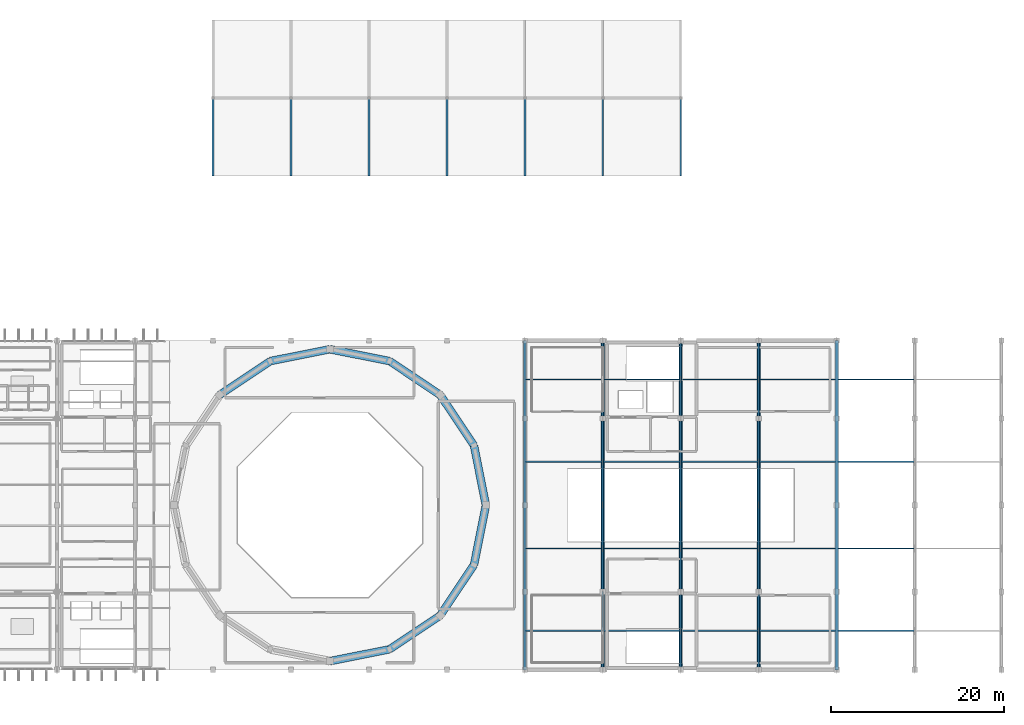
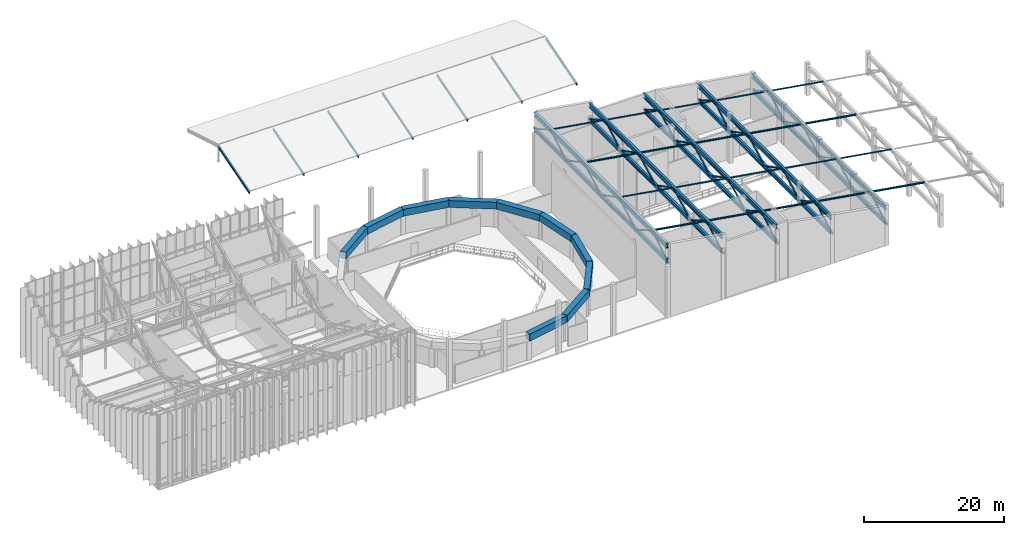
# One storey, part 43 of 68: 67 members, 20 beams.
"""IFC4 building model written with IfcOpenShell, lengths in metres."""

from ifc_helpers import new_model, si_unit, direction, frame, origin, origin_2d, place, context, subcontext, project, spatial, rectangle, hollow_rectangle, i_section, extrude, material, material_profile, profile_set, type_object, element, save


model = new_model("IFC4")

# Units and contexts
model_context = context("Model", 3, precision=1e-05, world=origin(), true_north=direction((0.0, 1.0)))
body_context = subcontext(model_context, "Body", "Model", "MODEL_VIEW")
ifc_project = project(units=[si_unit("LENGTHUNIT", "METRE"), si_unit("AREAUNIT", "SQUARE_METRE"), si_unit("VOLUMEUNIT", "CUBIC_METRE"), si_unit("PLANEANGLEUNIT", "RADIAN"), si_unit("MASSUNIT", "GRAM", prefix="KILO")], contexts=[model_context])

# Site, building, storey
site_placement = place(None, origin())
site = spatial("IfcSite", under=ifc_project, at=site_placement, CompositionType="ELEMENT")
building_placement = place(site_placement, origin())
building = spatial("IfcBuilding", under=site, at=building_placement, Name="Miravela Opera House", CompositionType="ELEMENT")
storey_placement = place(building_placement, frame((0.0, 0.0, 21.760009765625)))
storey = spatial("IfcBuildingStorey", under=building, at=storey_placement, Name="L05", CompositionType="ELEMENT", Elevation=21.760009765625)

# Beams
ifc_material_1 = material(Name="Structural steel ASTM A992 Gr. 50", Category="steel")
ifc_material_profile_1 = material_profile(ifc_material_1, i_section(OverallWidth=0.35498046875, OverallDepth=0.695068359375, WebThickness=0.015380859375, FlangeThickness=0.02490234375, FilletRadius=0.02001953125, at=origin_2d()), Name="W690X217")
ifc_profile_set_1 = profile_set([ifc_material_profile_1])
beam_type_1 = type_object("IfcBeamType", Name="STR-BM-W690X217", PredefinedType="BEAM", material=ifc_profile_set_1)
for number, where, z_axis, x_axis, name in (
    (1, (99.0, 37.0, 9.760009765625), (0.0, 1.0, 0.0), (-1.0, 0.0, 0.0), "Fly Tower Wedge Roof Truss Bottom Chord X=99"),
    (2, (108.0, 37.0, 8.287353515625), (0.0, 1.0, 0.0), (-1.0, 0.0, 0.0), "Fly Tower Wedge Roof Truss Bottom Chord X=108"),
    (3, (117.0, 37.0, 6.814453125), (0.0, 1.0, 0.0), (-1.0, 0.0, 0.0), "Fly Tower Wedge Roof Truss Bottom Chord X=117"),
    (4, (126.0, 37.0, 5.341796875), (0.0, 1.0, 0.0), (-1.0, 0.0, 0.0), "Fly Tower Wedge Roof Truss Bottom Chord X=126"),
    (5, (135.0, 37.0, 3.869140625), (0.0, 1.0, 0.0), (-1.0, 0.0, 0.0), "Fly Tower Wedge Roof Truss Bottom Chord X=135"),
):
    element("IfcBeam", number, at=place(storey_placement, frame(where, z_axis=z_axis, x_axis=x_axis)), inside=storey, type_object=beam_type_1, Name=name, PredefinedType="BEAM", context=body_context, shape_type="SweptSolid", body=[
        extrude(i_section(OverallWidth=0.35498046875, OverallDepth=0.695068359375, WebThickness=0.015380859375, FlangeThickness=0.02490234375, FilletRadius=0.02001953125, at=origin_2d()), origin(), (0.0, 0.0, 1.0), 38.0),
    ])
ifc_material_profile_2 = material_profile(ifc_material_1, i_section(OverallWidth=0.381103515625, OverallDepth=0.77294921875, WebThickness=0.0166015625, FlangeThickness=0.027099609375, FilletRadius=0.02197265625, at=origin_2d()), Name="W760X257")
ifc_profile_set_2 = profile_set([ifc_material_profile_2])
beam_type_2 = type_object("IfcBeamType", Name="STR-BM-W760X257", PredefinedType="BEAM", material=ifc_profile_set_2)
for number, where, z_axis, x_axis, name in (
    (6, (99.0, 37.0, 12.360107421875), (0.0, 1.0, 0.0), (-1.0, 0.0, 0.0), "Fly Tower Wedge Roof Truss Top Chord X=99"),
    (7, (108.0, 37.0, 10.88720703125), (0.0, 1.0, 0.0), (-1.0, 0.0, 0.0), "Fly Tower Wedge Roof Truss Top Chord X=108"),
    (8, (117.0, 37.0, 9.41455078125), (0.0, 1.0, 0.0), (-1.0, 0.0, 0.0), "Fly Tower Wedge Roof Truss Top Chord X=117"),
    (9, (126.0, 37.0, 7.94189453125), (0.0, 1.0, 0.0), (-1.0, 0.0, 0.0), "Fly Tower Wedge Roof Truss Top Chord X=126"),
    (10, (135.0, 37.0, 6.468994140625), (0.0, 1.0, 0.0), (-1.0, 0.0, 0.0), "Fly Tower Wedge Roof Truss Top Chord X=135"),
):
    element("IfcBeam", number, at=place(storey_placement, frame(where, z_axis=z_axis, x_axis=x_axis)), inside=storey, type_object=beam_type_2, Name=name, PredefinedType="BEAM", context=body_context, shape_type="SweptSolid", body=[
        extrude(i_section(OverallWidth=0.381103515625, OverallDepth=0.77294921875, WebThickness=0.0166015625, FlangeThickness=0.027099609375, FilletRadius=0.02197265625, at=origin_2d()), origin(), (0.0, 0.0, 1.0), 38.0),
    ])

# Members
ifc_material_profile_3 = material_profile(ifc_material_1, i_section(OverallWidth=0.201904296875, OverallDepth=0.2470703125, WebThickness=0.00732421875, FlangeThickness=0.010986328125, FilletRadius=0.011962890625, at=origin_2d()), Name="W250X49")
ifc_profile_set_3 = profile_set([ifc_material_profile_3])
member_type_1 = type_object("IfcMemberType", Name="STR-MEM-PURLIN-2", PredefinedType="PURLIN", material=ifc_profile_set_3)
for number, where, z_axis, x_axis, name in (
    (11, (99.0, 41.5, 12.360107421875), (0.986871557457, 0.0, -0.161507055831), (0.0, 1.0, 0.0), "Wedge Roof Steel Purlin 1.1"),
    (12, (99.0, 61.0, 12.360107421875), (0.986871557457, 0.0, -0.161507055831), (0.0, 1.0, 0.0), "Wedge Roof Steel Purlin 1.3"),
    (13, (108.0, 41.5, 10.88720703125), (0.98687582401, 0.0, -0.161480983356), (0.0, 1.0, 0.0), "Wedge Roof Steel Purlin 2.1"),
    (14, (108.0, 61.0, 10.88720703125), (0.98687582401, 0.0, -0.161480983356), (0.0, 1.0, 0.0), "Wedge Roof Steel Purlin 2.3"),
    (15, (117.0, 41.5, 9.41455078125), (0.98687582401, 0.0, -0.161480983356), (0.0, 1.0, 0.0), "Wedge Roof Steel Purlin 3.1"),
    (16, (117.0, 61.0, 9.41455078125), (0.98687582401, 0.0, -0.161480983356), (0.0, 1.0, 0.0), "Wedge Roof Steel Purlin 3.3"),
    (17, (126.0, 41.5, 7.94189453125), (0.986871557457, 0.0, -0.161507055831), (0.0, 1.0, 0.0), "Wedge Roof Steel Purlin 4.1"),
    (18, (126.0, 61.0, 7.94189453125), (0.986871557457, 0.0, -0.161507055831), (0.0, 1.0, 0.0), "Wedge Roof Steel Purlin 4.3"),
    (19, (135.0, 41.5, 6.468994140625), (0.98687582401, 0.0, -0.161480983356), (0.0, 1.0, 0.0), "Wedge Roof Steel Purlin 5.1"),
    (20, (135.0, 61.0, 6.468994140625), (0.98687582401, 0.0, -0.161480983356), (0.0, 1.0, 0.0), "Wedge Roof Steel Purlin 5.3"),
):
    element("IfcMember", number, at=place(storey_placement, frame(where, z_axis=z_axis, x_axis=x_axis)), inside=storey, type_object=member_type_1, Name=name, PredefinedType="PURLIN", context=body_context, shape_type="SweptSolid", body=[
        extrude(i_section(OverallWidth=0.201904296875, OverallDepth=0.2470703125, WebThickness=0.00732421875, FlangeThickness=0.010986328125, FilletRadius=0.011962890625, at=origin_2d()), origin(), (0.0, 0.0, 1.0), 9.11962890625),
    ])
ifc_material_2 = material(Name="Hollow structural steel ASTM A500 Gr. C", Category="steel")
ifc_material_profile_4 = material_profile(ifc_material_2, hollow_rectangle(XDim=0.14990234375, YDim=0.199951171875, WallThickness=0.010009765625, InnerFilletRadius=0.010009765625, OuterFilletRadius=0.02001953125, at=origin_2d()), Name="HSS200X150X10")
ifc_profile_set_4 = profile_set([ifc_material_profile_4])
member_type_2 = type_object("IfcMemberType", Name="STR-MEM-PURLIN-HSS200X150", PredefinedType="PURLIN", material=ifc_profile_set_4)
for number, where, z_axis, x_axis, name in (
    (21, (99.0, 51.0, 12.360107421875), (0.986871557457, 0.0, -0.161507055831), (0.0, 1.0, 0.0), "Wedge Roof Steel Purlin 1.2"),
    (22, (99.0, 70.5, 12.360107421875), (0.986871557457, 0.0, -0.161507055831), (0.0, 1.0, 0.0), "Wedge Roof Steel Purlin 1.4"),
    (23, (108.0, 51.0, 10.88720703125), (0.98687582401, 0.0, -0.161480983356), (0.0, 1.0, 0.0), "Wedge Roof Steel Purlin 2.2"),
    (24, (108.0, 70.5, 10.88720703125), (0.98687582401, 0.0, -0.161480983356), (0.0, 1.0, 0.0), "Wedge Roof Steel Purlin 2.4"),
    (25, (117.0, 51.0, 9.41455078125), (0.98687582401, 0.0, -0.161480983356), (0.0, 1.0, 0.0), "Wedge Roof Steel Purlin 3.2"),
    (26, (117.0, 70.5, 9.41455078125), (0.98687582401, 0.0, -0.161480983356), (0.0, 1.0, 0.0), "Wedge Roof Steel Purlin 3.4"),
    (27, (126.0, 51.0, 7.94189453125), (0.986871557457, 0.0, -0.161507055831), (0.0, 1.0, 0.0), "Wedge Roof Steel Purlin 4.2"),
    (28, (126.0, 70.5, 7.94189453125), (0.986871557457, 0.0, -0.161507055831), (0.0, 1.0, 0.0), "Wedge Roof Steel Purlin 4.4"),
    (29, (135.0, 51.0, 6.468994140625), (0.98687582401, 0.0, -0.161480983356), (0.0, 1.0, 0.0), "Wedge Roof Steel Purlin 5.2"),
    (30, (135.0, 70.5, 6.468994140625), (0.98687582401, 0.0, -0.161480983356), (0.0, 1.0, 0.0), "Wedge Roof Steel Purlin 5.4"),
):
    element("IfcMember", number, at=place(storey_placement, frame(where, z_axis=z_axis, x_axis=x_axis)), inside=storey, type_object=member_type_2, Name=name, PredefinedType="PURLIN", context=body_context, shape_type="SweptSolid", body=[
        extrude(hollow_rectangle(XDim=0.14990234375, YDim=0.199951171875, WallThickness=0.010009765625, InnerFilletRadius=0.010009765625, OuterFilletRadius=0.02001953125, at=origin_2d()), origin(), (0.0, 0.0, 1.0), 9.11962890625),
    ])
ifc_material_profile_5 = material_profile(ifc_material_1, i_section(OverallWidth=0.2041015625, OverallDepth=0.35009765625, WebThickness=0.008544921875, FlangeThickness=0.01513671875, FilletRadius=0.013916015625, at=origin_2d()), Name="W360X72")
ifc_profile_set_5 = profile_set([ifc_material_profile_5])
member_type_3 = type_object("IfcMemberType", Name="STR-MEM-RAFTER-1", PredefinedType="RAFTER", material=ifc_profile_set_5)
for number, where, z_axis, x_axis, name in (
    (31, (63.0, 94.050048828125, -0.39990234375), (0.0, 0.958562219619, 0.284883258756), (-1.0, 0.0, 0.0), "Pitched Roof Rafter ROOF-V3-TOP S0"),
    (32, (72.0, 94.050048828125, -0.39990234375), (0.0, 0.958562219619, 0.284883258756), (-1.0, 0.0, 0.0), "Pitched Roof Rafter ROOF-V3-TOP S1"),
    (33, (81.0, 94.050048828125, -0.39990234375), (0.0, 0.958562219619, 0.284883258756), (-1.0, 0.0, 0.0), "Pitched Roof Rafter ROOF-V3-TOP S2"),
    (34, (90.0, 94.050048828125, -0.39990234375), (0.0, 0.958562219619, 0.284883258756), (-1.0, 0.0, 0.0), "Pitched Roof Rafter ROOF-V3-TOP S3"),
    (35, (99.0, 94.050048828125, -0.39990234375), (0.0, 0.958562219619, 0.284883258756), (-1.0, 0.0, 0.0), "Pitched Roof Rafter ROOF-V3-TOP S4"),
    (36, (108.0, 94.050048828125, -0.39990234375), (0.0, 0.958562219619, 0.284883258756), (-1.0, 0.0, 0.0), "Pitched Roof Rafter ROOF-V3-TOP S5"),
    (37, (117.0, 94.050048828125, -0.39990234375), (0.0, 0.958562219619, 0.284883258756), (-1.0, 0.0, 0.0), "Pitched Roof Rafter ROOF-V3-TOP S6"),
):
    element("IfcMember", number, at=place(storey_placement, frame(where, z_axis=z_axis, x_axis=x_axis)), inside=storey, type_object=member_type_3, Name=name, PredefinedType="RAFTER", context=body_context, shape_type="SweptSolid", body=[
        extrude(i_section(OverallWidth=0.2041015625, OverallDepth=0.35009765625, WebThickness=0.008544921875, FlangeThickness=0.01513671875, FilletRadius=0.013916015625, at=origin_2d()), origin(), (0.0, 0.0, 1.0), 9.3369140625),
    ])
ifc_material_profile_6 = material_profile(ifc_material_2, hollow_rectangle(XDim=0.199951171875, YDim=0.199951171875, WallThickness=0.010009765625, InnerFilletRadius=0.010009765625, OuterFilletRadius=0.02001953125, at=origin_2d()), Name="HSS200X200X10")
ifc_profile_set_6 = profile_set([ifc_material_profile_6])
member_type_4 = type_object("IfcMemberType", Name="STR-MEM-WEDGE-WEB", PredefinedType="BRACE", material=ifc_profile_set_6)
for number, where, z_axis, x_axis, name in (
    (38, (99.0, 37.0, 9.760009765625), (0.0, 0.865856933682, 0.500291685314), (-1.0, 0.0, 0.0), "Wedge Truss Web Diagonal X=99-1"),
    (39, (99.0, 41.5, 12.360107421875), (0.0, 0.865856933682, -0.500291685314), (-1.0, 0.0, 0.0), "Wedge Truss Web Diagonal X=99-2"),
):
    element("IfcMember", number, at=place(storey_placement, frame(where, z_axis=z_axis, x_axis=x_axis)), inside=storey, type_object=member_type_4, Name=name, PredefinedType="BRACE", context=body_context, shape_type="SweptSolid", body=[
        extrude(hollow_rectangle(XDim=0.199951171875, YDim=0.199951171875, WallThickness=0.010009765625, InnerFilletRadius=0.010009765625, OuterFilletRadius=0.02001953125, at=origin_2d()), origin(), (0.0, 0.0, 1.0), 5.197265625),
    ])
for number, where, z_axis, x_axis, name in (
    (40, (99.0, 46.0, 9.760009765625), (0.0, 0.887209708306, 0.461366376634), (-1.0, 0.0, 0.0), "Wedge Truss Web Diagonal X=99-3"),
    (41, (99.0, 51.0, 12.360107421875), (0.0, 0.887209708306, -0.461366376634), (-1.0, 0.0, 0.0), "Wedge Truss Web Diagonal X=99-4"),
    (42, (99.0, 56.0, 9.760009765625), (0.0, 0.887209708306, 0.461366376634), (-1.0, 0.0, 0.0), "Wedge Truss Web Diagonal X=99-5"),
    (43, (99.0, 61.0, 12.360107421875), (0.0, 0.887209708306, -0.461366376634), (-1.0, 0.0, 0.0), "Wedge Truss Web Diagonal X=99-6"),
):
    element("IfcMember", number, at=place(storey_placement, frame(where, z_axis=z_axis, x_axis=x_axis)), inside=storey, type_object=member_type_4, Name=name, PredefinedType="BRACE", context=body_context, shape_type="SweptSolid", body=[
        extrude(hollow_rectangle(XDim=0.199951171875, YDim=0.199951171875, WallThickness=0.010009765625, InnerFilletRadius=0.010009765625, OuterFilletRadius=0.02001953125, at=origin_2d()), origin(), (0.0, 0.0, 1.0), 5.6357421875),
    ])
for number, where, z_axis, x_axis, name in (
    (44, (99.0, 66.0, 9.760009765625), (0.0, 0.865856933682, 0.500291685314), (-1.0, 0.0, 0.0), "Wedge Truss Web Diagonal X=99-7"),
    (45, (99.0, 70.5, 12.360107421875), (0.0, 0.865856933682, -0.500291685314), (-1.0, 0.0, 0.0), "Wedge Truss Web Diagonal X=99-8"),
):
    element("IfcMember", number, at=place(storey_placement, frame(where, z_axis=z_axis, x_axis=x_axis)), inside=storey, type_object=member_type_4, Name=name, PredefinedType="BRACE", context=body_context, shape_type="SweptSolid", body=[
        extrude(hollow_rectangle(XDim=0.199951171875, YDim=0.199951171875, WallThickness=0.010009765625, InnerFilletRadius=0.010009765625, OuterFilletRadius=0.02001953125, at=origin_2d()), origin(), (0.0, 0.0, 1.0), 5.197265625),
    ])
for number, where, z_axis, x_axis, name in (
    (46, (108.0, 37.0, 8.287353515625), (0.0, 0.865877282445, 0.50025646597), (-1.0, 0.0, 0.0), "Wedge Truss Web Diagonal X=108-1"),
    (47, (108.0, 41.5, 10.88720703125), (0.0, 0.865877282445, -0.50025646597), (-1.0, 0.0, 0.0), "Wedge Truss Web Diagonal X=108-2"),
):
    element("IfcMember", number, at=place(storey_placement, frame(where, z_axis=z_axis, x_axis=x_axis)), inside=storey, type_object=member_type_4, Name=name, PredefinedType="BRACE", context=body_context, shape_type="SweptSolid", body=[
        extrude(hollow_rectangle(XDim=0.199951171875, YDim=0.199951171875, WallThickness=0.010009765625, InnerFilletRadius=0.010009765625, OuterFilletRadius=0.02001953125, at=origin_2d()), origin(), (0.0, 0.0, 1.0), 5.197021484375),
    ])
for number, where, z_axis, x_axis, name in (
    (48, (108.0, 46.0, 8.287353515625), (0.0, 0.887227440447, 0.461332276041), (-1.0, 0.0, 0.0), "Wedge Truss Web Diagonal X=108-3"),
    (49, (108.0, 51.0, 10.88720703125), (0.0, 0.887227440447, -0.461332276041), (-1.0, 0.0, 0.0), "Wedge Truss Web Diagonal X=108-4"),
    (50, (108.0, 56.0, 8.287353515625), (0.0, 0.887227440447, 0.461332276041), (-1.0, 0.0, 0.0), "Wedge Truss Web Diagonal X=108-5"),
    (51, (108.0, 61.0, 10.88720703125), (0.0, 0.887227440447, -0.461332276041), (-1.0, 0.0, 0.0), "Wedge Truss Web Diagonal X=108-6"),
):
    element("IfcMember", number, at=place(storey_placement, frame(where, z_axis=z_axis, x_axis=x_axis)), inside=storey, type_object=member_type_4, Name=name, PredefinedType="BRACE", context=body_context, shape_type="SweptSolid", body=[
        extrude(hollow_rectangle(XDim=0.199951171875, YDim=0.199951171875, WallThickness=0.010009765625, InnerFilletRadius=0.010009765625, OuterFilletRadius=0.02001953125, at=origin_2d()), origin(), (0.0, 0.0, 1.0), 5.635498046875),
    ])
for number, where, z_axis, x_axis, name in (
    (52, (108.0, 66.0, 8.287353515625), (0.0, 0.865877282445, 0.50025646597), (-1.0, 0.0, 0.0), "Wedge Truss Web Diagonal X=108-7"),
    (53, (108.0, 70.5, 10.88720703125), (0.0, 0.865877282445, -0.50025646597), (-1.0, 0.0, 0.0), "Wedge Truss Web Diagonal X=108-8"),
):
    element("IfcMember", number, at=place(storey_placement, frame(where, z_axis=z_axis, x_axis=x_axis)), inside=storey, type_object=member_type_4, Name=name, PredefinedType="BRACE", context=body_context, shape_type="SweptSolid", body=[
        extrude(hollow_rectangle(XDim=0.199951171875, YDim=0.199951171875, WallThickness=0.010009765625, InnerFilletRadius=0.010009765625, OuterFilletRadius=0.02001953125, at=origin_2d()), origin(), (0.0, 0.0, 1.0), 5.197021484375),
    ])
for number, where, z_axis, x_axis, name in (
    (54, (117.0, 37.0, 6.814453125), (0.0, 0.865856933682, 0.500291685314), (-1.0, 0.0, 0.0), "Wedge Truss Web Diagonal X=117-1"),
    (55, (117.0, 41.5, 9.41455078125), (0.0, 0.865856933682, -0.500291685314), (-1.0, 0.0, 0.0), "Wedge Truss Web Diagonal X=117-2"),
):
    element("IfcMember", number, at=place(storey_placement, frame(where, z_axis=z_axis, x_axis=x_axis)), inside=storey, type_object=member_type_4, Name=name, PredefinedType="BRACE", context=body_context, shape_type="SweptSolid", body=[
        extrude(hollow_rectangle(XDim=0.199951171875, YDim=0.199951171875, WallThickness=0.010009765625, InnerFilletRadius=0.010009765625, OuterFilletRadius=0.02001953125, at=origin_2d()), origin(), (0.0, 0.0, 1.0), 5.197265625),
    ])
for number, where, z_axis, x_axis, name in (
    (56, (117.0, 46.0, 6.814453125), (0.0, 0.887209708306, 0.461366376634), (-1.0, 0.0, 0.0), "Wedge Truss Web Diagonal X=117-3"),
    (57, (117.0, 51.0, 9.41455078125), (0.0, 0.887209708306, -0.461366376634), (-1.0, 0.0, 0.0), "Wedge Truss Web Diagonal X=117-4"),
    (58, (117.0, 56.0, 6.814453125), (0.0, 0.887209708306, 0.461366376634), (-1.0, 0.0, 0.0), "Wedge Truss Web Diagonal X=117-5"),
    (59, (117.0, 61.0, 9.41455078125), (0.0, 0.887209708306, -0.461366376634), (-1.0, 0.0, 0.0), "Wedge Truss Web Diagonal X=117-6"),
):
    element("IfcMember", number, at=place(storey_placement, frame(where, z_axis=z_axis, x_axis=x_axis)), inside=storey, type_object=member_type_4, Name=name, PredefinedType="BRACE", context=body_context, shape_type="SweptSolid", body=[
        extrude(hollow_rectangle(XDim=0.199951171875, YDim=0.199951171875, WallThickness=0.010009765625, InnerFilletRadius=0.010009765625, OuterFilletRadius=0.02001953125, at=origin_2d()), origin(), (0.0, 0.0, 1.0), 5.6357421875),
    ])
for number, where, z_axis, x_axis, name in (
    (60, (117.0, 66.0, 6.814453125), (0.0, 0.865856933682, 0.500291685314), (-1.0, 0.0, 0.0), "Wedge Truss Web Diagonal X=117-7"),
    (61, (117.0, 70.5, 9.41455078125), (0.0, 0.865856933682, -0.500291685314), (-1.0, 0.0, 0.0), "Wedge Truss Web Diagonal X=117-8"),
    (62, (126.0, 37.0, 5.341796875), (0.0, 0.865856933682, 0.500291685314), (-1.0, 0.0, 0.0), "Wedge Truss Web Diagonal X=126-1"),
    (63, (126.0, 41.5, 7.94189453125), (0.0, 0.865856933682, -0.500291685314), (-1.0, 0.0, 0.0), "Wedge Truss Web Diagonal X=126-2"),
):
    element("IfcMember", number, at=place(storey_placement, frame(where, z_axis=z_axis, x_axis=x_axis)), inside=storey, type_object=member_type_4, Name=name, PredefinedType="BRACE", context=body_context, shape_type="SweptSolid", body=[
        extrude(hollow_rectangle(XDim=0.199951171875, YDim=0.199951171875, WallThickness=0.010009765625, InnerFilletRadius=0.010009765625, OuterFilletRadius=0.02001953125, at=origin_2d()), origin(), (0.0, 0.0, 1.0), 5.197265625),
    ])
for number, where, z_axis, x_axis, name in (
    (64, (126.0, 46.0, 5.341796875), (0.0, 0.887209708306, 0.461366376634), (-1.0, 0.0, 0.0), "Wedge Truss Web Diagonal X=126-3"),
    (65, (126.0, 51.0, 7.94189453125), (0.0, 0.887209708306, -0.461366376634), (-1.0, 0.0, 0.0), "Wedge Truss Web Diagonal X=126-4"),
    (66, (126.0, 56.0, 5.341796875), (0.0, 0.887209708306, 0.461366376634), (-1.0, 0.0, 0.0), "Wedge Truss Web Diagonal X=126-5"),
    (67, (126.0, 61.0, 7.94189453125), (0.0, 0.887209708306, -0.461366376634), (-1.0, 0.0, 0.0), "Wedge Truss Web Diagonal X=126-6"),
):
    element("IfcMember", number, at=place(storey_placement, frame(where, z_axis=z_axis, x_axis=x_axis)), inside=storey, type_object=member_type_4, Name=name, PredefinedType="BRACE", context=body_context, shape_type="SweptSolid", body=[
        extrude(hollow_rectangle(XDim=0.199951171875, YDim=0.199951171875, WallThickness=0.010009765625, InnerFilletRadius=0.010009765625, OuterFilletRadius=0.02001953125, at=origin_2d()), origin(), (0.0, 0.0, 1.0), 5.6357421875),
    ])
for number, where, z_axis, x_axis, name in (
    (68, (126.0, 66.0, 5.341796875), (0.0, 0.865856933682, 0.500291685314), (-1.0, 0.0, 0.0), "Wedge Truss Web Diagonal X=126-7"),
    (69, (126.0, 70.5, 7.94189453125), (0.0, 0.865856933682, -0.500291685314), (-1.0, 0.0, 0.0), "Wedge Truss Web Diagonal X=126-8"),
):
    element("IfcMember", number, at=place(storey_placement, frame(where, z_axis=z_axis, x_axis=x_axis)), inside=storey, type_object=member_type_4, Name=name, PredefinedType="BRACE", context=body_context, shape_type="SweptSolid", body=[
        extrude(hollow_rectangle(XDim=0.199951171875, YDim=0.199951171875, WallThickness=0.010009765625, InnerFilletRadius=0.010009765625, OuterFilletRadius=0.02001953125, at=origin_2d()), origin(), (0.0, 0.0, 1.0), 5.197265625),
    ])
for number, where, z_axis, x_axis, name in (
    (70, (135.0, 37.0, 3.869140625), (0.0, 0.865877282445, 0.50025646597), (-1.0, 0.0, 0.0), "Wedge Truss Web Diagonal X=135-1"),
    (71, (135.0, 41.5, 6.468994140625), (0.0, 0.865877282445, -0.50025646597), (-1.0, 0.0, 0.0), "Wedge Truss Web Diagonal X=135-2"),
):
    element("IfcMember", number, at=place(storey_placement, frame(where, z_axis=z_axis, x_axis=x_axis)), inside=storey, type_object=member_type_4, Name=name, PredefinedType="BRACE", context=body_context, shape_type="SweptSolid", body=[
        extrude(hollow_rectangle(XDim=0.199951171875, YDim=0.199951171875, WallThickness=0.010009765625, InnerFilletRadius=0.010009765625, OuterFilletRadius=0.02001953125, at=origin_2d()), origin(), (0.0, 0.0, 1.0), 5.197021484375),
    ])
for number, where, z_axis, x_axis, name in (
    (72, (135.0, 46.0, 3.869140625), (0.0, 0.887227440447, 0.461332276041), (-1.0, 0.0, 0.0), "Wedge Truss Web Diagonal X=135-3"),
    (73, (135.0, 51.0, 6.468994140625), (0.0, 0.887227440447, -0.461332276041), (-1.0, 0.0, 0.0), "Wedge Truss Web Diagonal X=135-4"),
    (74, (135.0, 56.0, 3.869140625), (0.0, 0.887227440447, 0.461332276041), (-1.0, 0.0, 0.0), "Wedge Truss Web Diagonal X=135-5"),
    (75, (135.0, 61.0, 6.468994140625), (0.0, 0.887227440447, -0.461332276041), (-1.0, 0.0, 0.0), "Wedge Truss Web Diagonal X=135-6"),
):
    element("IfcMember", number, at=place(storey_placement, frame(where, z_axis=z_axis, x_axis=x_axis)), inside=storey, type_object=member_type_4, Name=name, PredefinedType="BRACE", context=body_context, shape_type="SweptSolid", body=[
        extrude(hollow_rectangle(XDim=0.199951171875, YDim=0.199951171875, WallThickness=0.010009765625, InnerFilletRadius=0.010009765625, OuterFilletRadius=0.02001953125, at=origin_2d()), origin(), (0.0, 0.0, 1.0), 5.635498046875),
    ])
for number, where, z_axis, x_axis, name in (
    (76, (135.0, 66.0, 3.869140625), (0.0, 0.865877282445, 0.50025646597), (-1.0, 0.0, 0.0), "Wedge Truss Web Diagonal X=135-7"),
    (77, (135.0, 70.5, 6.468994140625), (0.0, 0.865877282445, -0.50025646597), (-1.0, 0.0, 0.0), "Wedge Truss Web Diagonal X=135-8"),
):
    element("IfcMember", number, at=place(storey_placement, frame(where, z_axis=z_axis, x_axis=x_axis)), inside=storey, type_object=member_type_4, Name=name, PredefinedType="BRACE", context=body_context, shape_type="SweptSolid", body=[
        extrude(hollow_rectangle(XDim=0.199951171875, YDim=0.199951171875, WallThickness=0.010009765625, InnerFilletRadius=0.010009765625, OuterFilletRadius=0.02001953125, at=origin_2d()), origin(), (0.0, 0.0, 1.0), 5.197021484375),
    ])

# Beams
ifc_material_3 = material(Name="Concrete C40/50", Category="concrete")
ifc_material_profile_7 = material_profile(ifc_material_3, rectangle(XDim=0.89990234375, YDim=1.199951171875, at=origin_2d()), Name="RC-RING-900X1200")
ifc_profile_set_7 = profile_set([ifc_material_profile_7])
beam_type_3 = type_object("IfcBeamType", Name="STR-RING-RC900X1200", PredefinedType="BEAM", material=ifc_profile_set_7)
beam_1_placement = place(storey_placement, frame((94.5, 56.0, 3.860107421875), z_axis=(-0.19508652554, 0.980786035562, 0.0), x_axis=(-0.980786035562, -0.19508652554, 0.0)))
element("IfcBeam", 78, at=beam_1_placement, inside=storey, type_object=beam_type_3, Name="Auditorium Dome Tension Ring Beam Seg 01", PredefinedType="BEAM", context=body_context, shape_type="SweptSolid", body=[
    extrude(rectangle(XDim=0.89990234375, YDim=1.199951171875, at=origin_2d()), origin(), (0.0, 0.0, 1.0), 7.023193359375),
])
for number, where, z_axis, x_axis, name in (
    (79, (93.1298828125, 62.88818359375, 3.860107421875), (-0.555590303377, 0.831456201368, 0.0), (-0.831456201368, -0.555590303377, 0.0), "Auditorium Dome Tension Ring Beam Seg 02"),
    (80, (89.227783203125, 68.727783203125, 3.860107421875), (-0.831456201368, 0.555590303377, 0.0), (-0.555590303377, -0.831456201368, 0.0), "Auditorium Dome Tension Ring Beam Seg 03"),
):
    element("IfcBeam", number, at=place(storey_placement, frame(where, z_axis=z_axis, x_axis=x_axis)), inside=storey, type_object=beam_type_3, Name=name, PredefinedType="BEAM", context=body_context, shape_type="SweptSolid", body=[
        extrude(rectangle(XDim=0.89990234375, YDim=1.199951171875, at=origin_2d()), origin(), (0.0, 0.0, 1.0), 7.0234375),
    ])
for number, where, z_axis, x_axis, name in (
    (81, (83.38818359375, 72.6298828125, 3.860107421875), (-0.980786035562, 0.19508652554, 0.0), (-0.19508652554, -0.980786035562, 0.0), "Auditorium Dome Tension Ring Beam Seg 04"),
    (82, (76.5, 74.0, 3.860107421875), (-0.980786035562, -0.19508652554, 0.0), (0.19508652554, -0.980786035562, 0.0), "Auditorium Dome Tension Ring Beam Seg 05"),
):
    element("IfcBeam", number, at=place(storey_placement, frame(where, z_axis=z_axis, x_axis=x_axis)), inside=storey, type_object=beam_type_3, Name=name, PredefinedType="BEAM", context=body_context, shape_type="SweptSolid", body=[
        extrude(rectangle(XDim=0.89990234375, YDim=1.199951171875, at=origin_2d()), origin(), (0.0, 0.0, 1.0), 7.023193359375),
    ])
beam_2_placement = place(storey_placement, frame((69.61181640625, 72.6298828125, 3.860107421875), z_axis=(-0.831456201368, -0.555590303377, 0.0), x_axis=(0.555590303377, -0.831456201368, 0.0)))
element("IfcBeam", 83, at=beam_2_placement, inside=storey, type_object=beam_type_3, Name="Auditorium Dome Tension Ring Beam Seg 06", PredefinedType="BEAM", context=body_context, shape_type="SweptSolid", body=[
    extrude(rectangle(XDim=0.89990234375, YDim=1.199951171875, at=origin_2d()), origin(), (0.0, 0.0, 1.0), 7.0234375),
])
beam_3_placement = place(storey_placement, frame((76.5, 38.0, 3.860107421875), z_axis=(0.980786035562, 0.19508652554, 0.0), x_axis=(-0.19508652554, 0.980786035562, 0.0)))
element("IfcBeam", 84, at=beam_3_placement, inside=storey, type_object=beam_type_3, Name="Auditorium Dome Tension Ring Beam Seg 13", PredefinedType="BEAM", context=body_context, shape_type="SweptSolid", body=[
    extrude(rectangle(XDim=0.89990234375, YDim=1.199951171875, at=origin_2d()), origin(), (0.0, 0.0, 1.0), 7.023193359375),
])
for number, where, z_axis, x_axis, name in (
    (85, (83.38818359375, 39.3701171875, 3.860107421875), (0.831456201368, 0.555590303377, 0.0), (-0.555590303377, 0.831456201368, 0.0), "Auditorium Dome Tension Ring Beam Seg 14"),
    (86, (89.227783203125, 43.272216796875, 3.860107421875), (0.555590303377, 0.831456201368, 0.0), (-0.831456201368, 0.555590303377, 0.0), "Auditorium Dome Tension Ring Beam Seg 15"),
):
    element("IfcBeam", number, at=place(storey_placement, frame(where, z_axis=z_axis, x_axis=x_axis)), inside=storey, type_object=beam_type_3, Name=name, PredefinedType="BEAM", context=body_context, shape_type="SweptSolid", body=[
        extrude(rectangle(XDim=0.89990234375, YDim=1.199951171875, at=origin_2d()), origin(), (0.0, 0.0, 1.0), 7.0234375),
    ])
beam_4_placement = place(storey_placement, frame((93.1298828125, 49.11181640625, 3.860107421875), z_axis=(0.19508652554, 0.980786035562, 0.0), x_axis=(-0.980786035562, 0.19508652554, 0.0)))
element("IfcBeam", 87, at=beam_4_placement, inside=storey, type_object=beam_type_3, Name="Auditorium Dome Tension Ring Beam Seg 16", PredefinedType="BEAM", context=body_context, shape_type="SweptSolid", body=[
    extrude(rectangle(XDim=0.89990234375, YDim=1.199951171875, at=origin_2d()), origin(), (0.0, 0.0, 1.0), 7.023193359375),
])

save(model, "model.ifc")
